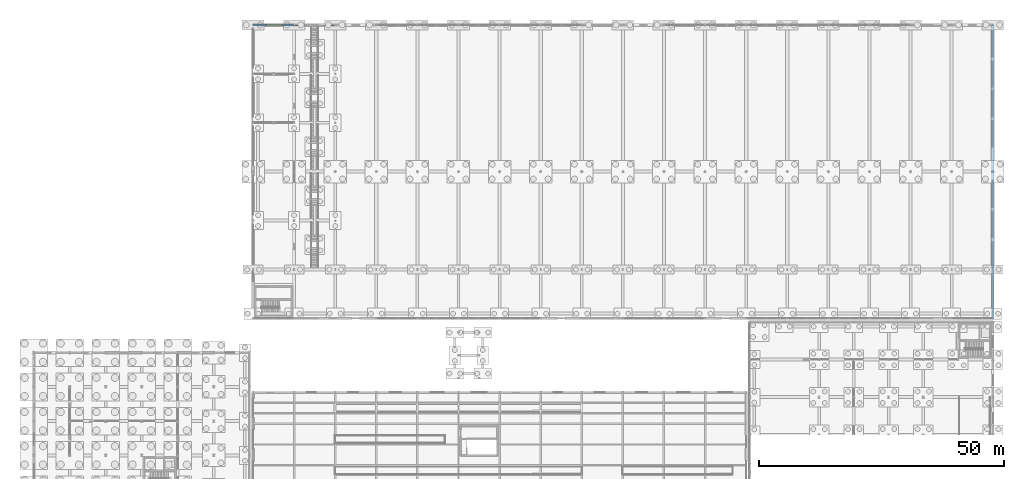
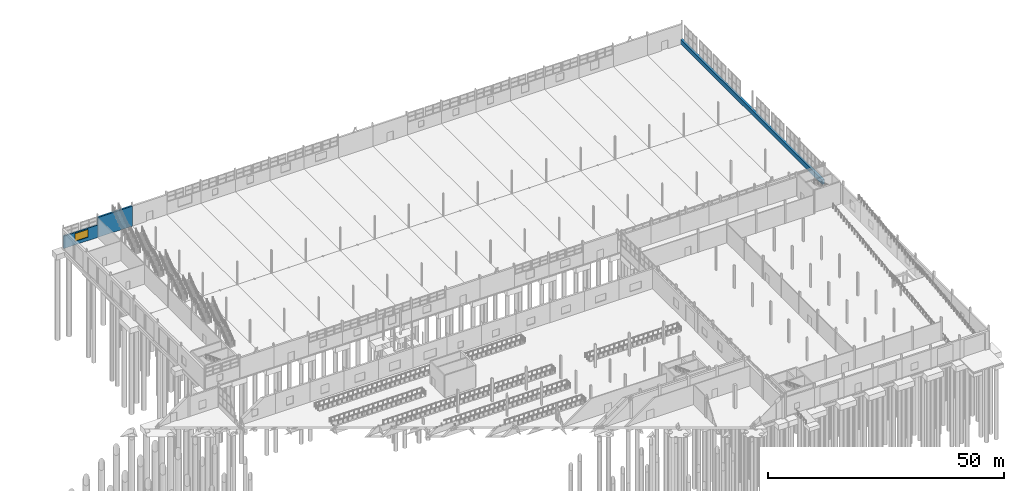
# One storey, part 129 of 139: 3 walls, 1 window, 1 opening.
"""IFC4 building model written with IfcOpenShell, lengths in metres."""

from ifc_helpers import new_model, si_unit, direction, frame, frame_2d, origin, place, context, subcontext, project, spatial, rectangle, extrude, material, layer, layer_set, type_object, element, fill, save


model = new_model("IFC4")

# Units and contexts
model_context = context("Model", 3, precision=1e-05, world=origin(), true_north=direction((0.0, 1.0)))
body_context = subcontext(model_context, "Body", "Model", "MODEL_VIEW")
ifc_project = project(units=[si_unit("LENGTHUNIT", "METRE"), si_unit("AREAUNIT", "SQUARE_METRE"), si_unit("VOLUMEUNIT", "CUBIC_METRE"), si_unit("PLANEANGLEUNIT", "RADIAN"), si_unit("MASSUNIT", "GRAM", prefix="KILO")], contexts=[model_context])

# Site, building, storey
site_placement = place(None, origin())
site = spatial("IfcSite", under=ifc_project, at=site_placement, CompositionType="ELEMENT")
building_placement = place(site_placement, origin())
building = spatial("IfcBuilding", under=site, at=building_placement, Name="Kazenagashi Tramway Depot", CompositionType="ELEMENT")
storey_placement = place(building_placement, origin())
storey = spatial("IfcBuildingStorey", under=building, at=storey_placement, Name="L01", CompositionType="ELEMENT", Elevation=0.0)

# Wall
ifc_material_1 = material(Name="Clay Brick Masonry JIS R 1250 Class 1 (20 MPa)", Category="masonry")
ifc_layer_1 = layer(ifc_material_1, 0.43)
ifc_layer_set_1 = layer_set([ifc_layer_1], Name="Clay Brick Masonry JIS R 1250 Class 1 (20 MPa)")
wall_type_1 = type_object("IfcWallType", Name="W-BK1", PredefinedType="SOLIDWALL", material=ifc_layer_set_1)
wall_1_placement = place(storey_placement, frame((53.2, 130.0, 0.0), z_axis=(0.0, 0.0, 1.0), x_axis=(1.0, 0.0, 0.0)))
element("IfcWall", 1, at=wall_1_placement, inside=storey, type_object=wall_type_1, Name="Exterior Brick Wall W-BK1 EWALL-0030", PredefinedType="SOLIDWALL", context=body_context, shape_type="SweptSolid", body=[
    extrude(rectangle(XDim=8.4, YDim=0.43, at=frame_2d((4.2, 0.0))), origin(), (0.0, 0.0, 1.0), 5.14),
])

# Wall, opening, window
ifc_layer_2 = layer(ifc_material_1, 0.36)
ifc_layer_set_2 = layer_set([ifc_layer_2], Name="Clay Brick Masonry JIS R 1250 Class 1 (20 MPa)")
wall_type_2 = type_object("IfcWallType", Name="W-BK2", PredefinedType="SOLIDWALL", material=ifc_layer_set_2)
wall_2_placement = place(storey_placement, frame((44.8, 130.0, 0.0), z_axis=(0.0, 0.0, 1.0), x_axis=(1.0, 0.0, 0.0)))
wall_2 = element("IfcWall", 2, at=wall_2_placement, inside=storey, type_object=wall_type_2, Name="Exterior Brick Wall W-BK2 EWALL-0029", PredefinedType="SOLIDWALL", context=body_context, shape_type="SweptSolid", body=[
    extrude(rectangle(XDim=8.4, YDim=0.36, at=frame_2d((4.2, 0.0))), origin(), (0.0, 0.0, 1.0), 3.2),
])
opening_placement = place(wall_2_placement, frame((2.8, 0.0, 0.9)))
opening = element("IfcOpeningElement", 3, at=opening_placement, cuts=wall_2, Name="Opening WN-15", PredefinedType="OPENING", context=body_context, shape_type="SweptSolid", body=[
    extrude(rectangle(XDim=3.2, YDim=2.0, at=frame_2d((1.6, 1.0))), frame((0.0, 0.19, 0.0), z_axis=(0.0, -1.0, 0.0), x_axis=(1.0, 0.0, 0.0)), (0.0, 0.0, 1.0), 0.38),
])
ifc_material_2 = material(Name="Anodised Aluminium and Tempered Low-E Glass", Category="aluminium")
window_type = type_object("IfcWindowType", Name="WN-15", PartitioningType="SINGLE_PANEL", PredefinedType="WINDOW", material=ifc_material_2)
window_placement = place(opening_placement, origin())
window = element("IfcWindow", 4, at=window_placement, inside=storey, type_object=window_type, Name="Window WN-15 WIN-0015", OverallHeight=2.0, OverallWidth=3.2, PartitioningType="SINGLE_PANEL", PredefinedType="WINDOW", context=body_context, shape_type="SweptSolid", body=[
    extrude(rectangle(XDim=3.2, YDim=2.0, at=frame_2d((1.6, 1.0))), frame((0.0, 0.03, 0.0), z_axis=(0.0, -1.0, 0.0), x_axis=(1.0, 0.0, 0.0)), (0.0, 0.0, 1.0), 0.06),
])
fill(opening, window)

# Wall
ifc_material_3 = material(Name="Clinker Brick Masonry JIS R 1250 Class 1 (24 MPa)", Category="masonry")
ifc_layer_3 = layer(ifc_material_3, 0.54)
ifc_layer_set_3 = layer_set([ifc_layer_3], Name="Clinker Brick Masonry JIS R 1250 Class 1 (24 MPa)")
wall_type_3 = type_object("IfcWallType", Name="W-BK4", PredefinedType="SOLIDWALL", material=ifc_layer_set_3)
wall_3_placement = place(storey_placement, frame((196.0, 70.0, 0.0), z_axis=(0.0, 0.0, 1.0), x_axis=(0.0, 1.0, 0.0)))
element("IfcWall", 5, at=wall_3_placement, inside=storey, type_object=wall_type_3, Name="Exterior Brick Wall W-BK4 EWALL-0007", PredefinedType="SOLIDWALL", context=body_context, shape_type="SweptSolid", body=[
    extrude(rectangle(XDim=60.0, YDim=0.54, at=frame_2d((30.0, 0.0))), origin(), (0.0, 0.0, 1.0), 1.2),
])

save(model, "model.ifc")
